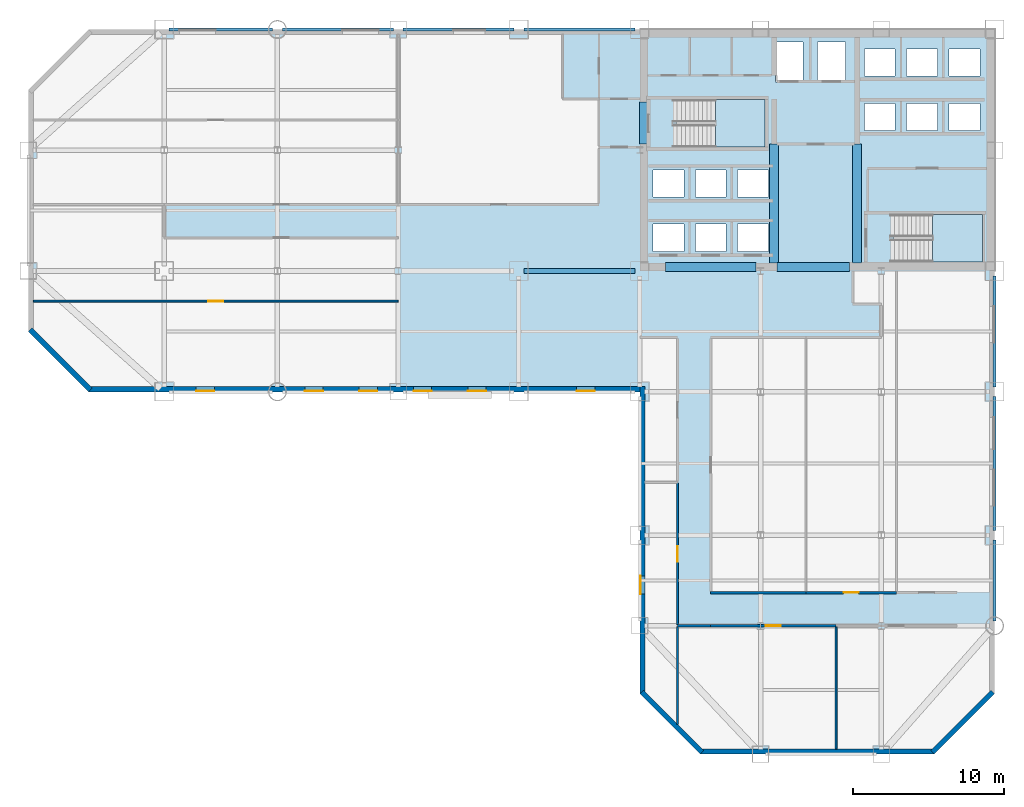
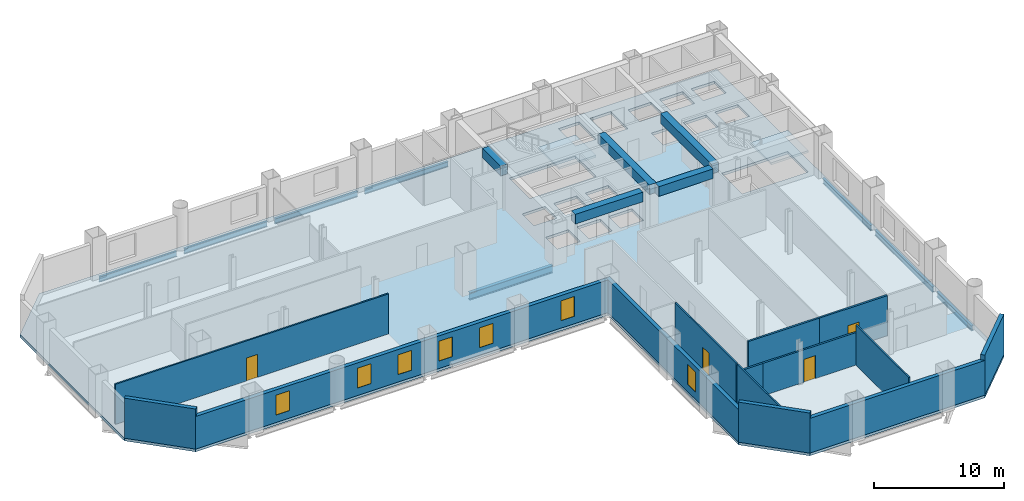
# One storey, part 4 of 9: 14 walls, 13 beams, 7 windows, 4 doors, 3 slabs, 11 openings, 2 elements without a shape of their own.
"""IFC4 building model written with IfcOpenShell, lengths in metres."""

from ifc_helpers import new_model, si_unit, direction, frame, frame_2d, origin, origin_2d, place, context, subcontext, project, spatial, polyline, rectangle, i_section, outline, extrude, material, layer, layer_set, material_profile, profile_set, type_object, element, fill, aggregate, save


model = new_model("IFC4")

# Units and contexts
model_context = context("Model", 3, precision=1e-05, world=origin(), true_north=direction((0.0, 1.0)))
body_context = subcontext(model_context, "Body", "Model", "MODEL_VIEW")
ifc_project = project(units=[si_unit("LENGTHUNIT", "METRE"), si_unit("AREAUNIT", "SQUARE_METRE"), si_unit("VOLUMEUNIT", "CUBIC_METRE"), si_unit("PLANEANGLEUNIT", "RADIAN"), si_unit("MASSUNIT", "GRAM", prefix="KILO")], contexts=[model_context])

# Site, building, storey
site_placement = place(None, origin())
site = spatial("IfcSite", under=ifc_project, at=site_placement, CompositionType="ELEMENT")
building_placement = place(site_placement, origin())
building = spatial("IfcBuilding", under=site, at=building_placement, Name="Qianrong Seaharbour Tower", CompositionType="ELEMENT")
storey_placement = place(building_placement, frame((0.0, 0.0, 72.199951171875)))
storey = spatial("IfcBuildingStorey", under=building, at=storey_placement, Name="L17", CompositionType="ELEMENT", Elevation=72.199951171875)

# Beams
ifc_material_1 = material(Name="Structural steel SN490B", Category="steel")
ifc_material_profile_1 = material_profile(ifc_material_1, i_section(OverallWidth=0.300048828125, OverallDepth=0.699951171875, WebThickness=0.012939453125, FlangeThickness=0.02392578125, FilletRadius=0.02587890625, at=origin_2d()), Name="H700x300x13x24")
ifc_profile_set_1 = profile_set([ifc_material_profile_1], Name="Structural steel SN490B")
beam_type_1 = type_object("IfcBeamType", Name="BM-G-700", PredefinedType="BEAM", material=ifc_profile_set_1)
beam_1_placement = place(storey_placement, frame((32.820068359375, 36.0, -0.599853515625), z_axis=(1.0, 0.0, 0.0), x_axis=(0.0, 1.0, 0.0)))
element("IfcBeam", 1, at=beam_1_placement, inside=storey, type_object=beam_type_1, Name="L17 Primary Girder GF G5-G6", PredefinedType="BEAM", context=body_context, shape_type="SweptSolid", body=[
    extrude(i_section(OverallWidth=0.300048828125, OverallDepth=0.699951171875, WebThickness=0.012939453125, FlangeThickness=0.02392578125, FilletRadius=0.02587890625, at=origin_2d()), origin(), (0.0, 0.0, 1.0), 7.35986328125),
])
ifc_material_2 = material(Name="Concrete C70/85", Category="concrete")
ifc_material_profile_2 = material_profile(ifc_material_2, rectangle(XDim=0.60009765625, YDim=0.89990234375, at=origin_2d()), Name="RC600x900")
ifc_profile_set_2 = profile_set([ifc_material_profile_2], Name="Concrete C70/85")
beam_type_2 = type_object("IfcBeamType", Name="BM-LINTEL-900", PredefinedType="LINTEL", material=ifc_profile_set_2)
beam_2_placement = place(storey_placement, frame((40.77001953125, 44.39990234375, 3.300048828125), z_axis=(0.0, 1.0, 0.0), x_axis=(-1.0, 0.0, 0.0)))
element("IfcBeam", 2, at=beam_2_placement, inside=storey, type_object=beam_type_2, Name="L17 Core Coupling Lintel Beam West", PredefinedType="LINTEL", context=body_context, shape_type="SweptSolid", body=[
    extrude(rectangle(XDim=0.60009765625, YDim=0.89990234375, at=origin_2d()), origin(), (0.0, 0.0, 1.0), 2.800048828125),
])
beam_3_placement = place(storey_placement, frame((42.199951171875, 36.27001953125, 3.300048828125), z_axis=(1.0, 0.0, 0.0), x_axis=(0.0, 1.0, 0.0)))
element("IfcBeam", 3, at=beam_3_placement, inside=storey, type_object=beam_type_2, Name="L17 Core Coupling Lintel Beam CBW", PredefinedType="LINTEL", context=body_context, shape_type="SweptSolid", body=[
    extrude(rectangle(XDim=0.60009765625, YDim=0.89990234375, at=origin_2d()), origin(), (0.0, 0.0, 1.0), 6.0),
])
beam_4_placement = place(storey_placement, frame((49.60009765625, 36.27001953125, 3.300048828125), z_axis=(1.0, 0.0, 0.0), x_axis=(0.0, 1.0, 0.0)))
element("IfcBeam", 4, at=beam_4_placement, inside=storey, type_object=beam_type_2, Name="L17 Core Coupling Lintel Beam CBC", PredefinedType="LINTEL", context=body_context, shape_type="SweptSolid", body=[
    extrude(rectangle(XDim=0.60009765625, YDim=0.89990234375, at=origin_2d()), origin(), (0.0, 0.0, 1.0), 4.7998046875),
])
for number, where, z_axis, x_axis, name in (
    (5, (49.39990234375, 36.5400390625, 3.300048828125), (0.0, 1.0, 0.0), (-1.0, 0.0, 0.0), "L17 Internal Core Coupling Beam IW1"),
    (6, (54.89990234375, 36.5400390625, 3.300048828125), (0.0, 1.0, 0.0), (-1.0, 0.0, 0.0), "L17 Internal Core Coupling Beam IW2"),
):
    element("IfcBeam", number, at=place(storey_placement, frame(where, z_axis=z_axis, x_axis=x_axis)), inside=storey, type_object=beam_type_2, Name=name, PredefinedType="LINTEL", context=body_context, shape_type="SweptSolid", body=[
        extrude(rectangle(XDim=0.60009765625, YDim=0.89990234375, at=origin_2d()), origin(), (0.0, 0.0, 1.0), 7.85986328125),
    ])
ifc_material_profile_3 = material_profile(ifc_material_1, i_section(OverallWidth=0.199951171875, OverallDepth=0.5, WebThickness=0.010009765625, FlangeThickness=0.01611328125, FilletRadius=0.02001953125, at=origin_2d()), Name="H500x200x10x16")
ifc_profile_set_3 = profile_set([ifc_material_profile_3], Name="Structural steel SN490B")
beam_type_3 = type_object("IfcBeamType", Name="BM-SP-500", PredefinedType="SPANDREL", material=ifc_profile_set_3)
beam_5_placement = place(storey_placement, frame((9.320068359375, 52.0, -0.5), z_axis=(1.0, 0.0, 0.0), x_axis=(0.0, 1.0, 0.0)))
element("IfcBeam", 7, at=beam_5_placement, inside=storey, type_object=beam_type_3, Name="L17 Spandrel Girder GH G2-G3", PredefinedType="SPANDREL", context=body_context, shape_type="SweptSolid", body=[
    extrude(i_section(OverallWidth=0.199951171875, OverallDepth=0.5, WebThickness=0.010009765625, FlangeThickness=0.01611328125, FilletRadius=0.02001953125, at=origin_2d()), origin(), (0.0, 0.0, 1.0), 6.85986328125),
])
for number, where, z_axis, x_axis, name in (
    (8, (16.820068359375, 52.0, -0.5), (1.0, 0.0, 0.0), (0.0, 1.0, 0.0), "L17 Spandrel Girder GH G3-G4"),
    (9, (24.820068359375, 52.0, -0.5), (1.0, 0.0, 0.0), (0.0, 1.0, 0.0), "L17 Spandrel Girder GH G4-G5"),
    (10, (32.820068359375, 52.0, -0.5), (1.0, 0.0, 0.0), (0.0, 1.0, 0.0), "L17 Spandrel Girder GH G5-G6"),
):
    element("IfcBeam", number, at=place(storey_placement, frame(where, z_axis=z_axis, x_axis=x_axis)), inside=storey, type_object=beam_type_3, Name=name, PredefinedType="SPANDREL", context=body_context, shape_type="SweptSolid", body=[
        extrude(i_section(OverallWidth=0.199951171875, OverallDepth=0.5, WebThickness=0.010009765625, FlangeThickness=0.01611328125, FilletRadius=0.02001953125, at=origin_2d()), origin(), (0.0, 0.0, 1.0), 7.35986328125),
    ])
beam_6_placement = place(storey_placement, frame((64.0, 12.820068359375, -0.5), z_axis=(0.0, 1.0, 0.0), x_axis=(-1.0, 0.0, 0.0)))
element("IfcBeam", 11, at=beam_6_placement, inside=storey, type_object=beam_type_3, Name="L17 Spandrel Girder G9 GC-GD", PredefinedType="SPANDREL", context=body_context, shape_type="SweptSolid", body=[
    extrude(i_section(OverallWidth=0.199951171875, OverallDepth=0.5, WebThickness=0.010009765625, FlangeThickness=0.01611328125, FilletRadius=0.02001953125, at=origin_2d()), origin(), (0.0, 0.0, 1.0), 5.35986328125),
])
beam_7_placement = place(storey_placement, frame((64.0, 18.820068359375, -0.5), z_axis=(0.0, 1.0, 0.0), x_axis=(-1.0, 0.0, 0.0)))
element("IfcBeam", 12, at=beam_7_placement, inside=storey, type_object=beam_type_3, Name="L17 Spandrel Girder G9 GD-GE", PredefinedType="SPANDREL", context=body_context, shape_type="SweptSolid", body=[
    extrude(i_section(OverallWidth=0.199951171875, OverallDepth=0.5, WebThickness=0.010009765625, FlangeThickness=0.01611328125, FilletRadius=0.02001953125, at=origin_2d()), origin(), (0.0, 0.0, 1.0), 8.85986328125),
])
beam_8_placement = place(storey_placement, frame((64.0, 28.320068359375, -0.5), z_axis=(0.0, 1.0, 0.0), x_axis=(-1.0, 0.0, 0.0)))
element("IfcBeam", 13, at=beam_8_placement, inside=storey, type_object=beam_type_3, Name="L17 Spandrel Girder G9 GE-GF", PredefinedType="SPANDREL", context=body_context, shape_type="SweptSolid", body=[
    extrude(i_section(OverallWidth=0.199951171875, OverallDepth=0.5, WebThickness=0.010009765625, FlangeThickness=0.01611328125, FilletRadius=0.02001953125, at=origin_2d()), origin(), (0.0, 0.0, 1.0), 7.35986328125),
])

# Stair, slab
ifc_material_3 = material(Name="Concrete C50/60", Category="concrete")
stair_type = type_object("IfcStairType", Name="STAIR-DOGLEG-1500-R22", PredefinedType="HALF_TURN_STAIR", material=ifc_material_3)
stair_1_placement = place(storey_placement, origin())
stair_1 = element("IfcStair", 14, at=stair_1_placement, inside=storey, type_object=stair_type, Name="L17 Protected Escape Stair ST-1", PredefinedType="HALF_TURN_STAIR")
ifc_layer_1 = layer(ifc_material_3, 0.199951171875)
ifc_layer_set_1 = layer_set([ifc_layer_1], Name="Concrete C50/60")
slab_type_1 = type_object("IfcSlabType", Name="SLAB-STAIR-LANDING-200", PredefinedType="LANDING", material=ifc_layer_set_1)
slab_1_placement = place(storey_placement, frame((0.0, 0.0, 1.800048828125)))
slab_1 = element("IfcSlab", 15, at=slab_1_placement, type_object=slab_type_1, Name="ST-1 landing 1", PredefinedType="LANDING", context=body_context, shape_type="SweptSolid", body=[
    extrude(outline(polyline([(45.5, 44.199951171875), (48.800048828125, 44.199951171875), (48.800048828125, 47.35009765625), (45.5, 47.35009765625), (45.5, 44.199951171875)])), origin(), (0.0, 0.0, 1.0), 0.199951171875),
])
aggregate(stair_1, [slab_1])

stair_2_placement = place(storey_placement, origin())
stair_2 = element("IfcStair", 16, at=stair_2_placement, inside=storey, type_object=stair_type, Name="L17 Protected Escape Stair ST-2", PredefinedType="HALF_TURN_STAIR")
slab_2_placement = place(storey_placement, frame((0.0, 0.0, 1.800048828125)))
slab_2 = element("IfcSlab", 17, at=slab_2_placement, type_object=slab_type_1, Name="ST-2 landing 1", PredefinedType="LANDING", context=body_context, shape_type="SweptSolid", body=[
    extrude(outline(polyline([(59.89990234375, 36.60009765625), (63.199951171875, 36.60009765625), (63.199951171875, 39.75), (59.89990234375, 39.75), (59.89990234375, 36.60009765625)])), origin(), (0.0, 0.0, 1.0), 0.199951171875),
])
aggregate(stair_2, [slab_2])

# Slab
ifc_layer_2 = layer(ifc_material_3, 0.25)
ifc_layer_set_2 = layer_set([ifc_layer_2], Name="Concrete C50/60")
slab_type_2 = type_object("IfcSlabType", Name="SLAB-Z1-250", PredefinedType="FLOOR", material=ifc_layer_set_2)
slab_3_placement = place(storey_placement, frame((0.0, 0.0, -0.25)))
element("IfcSlab", 18, at=slab_3_placement, inside=storey, type_object=slab_type_2, Name="L17 Structural Floor Slab", PredefinedType="FLOOR", context=body_context, shape_type="SweptSolid", body=[
    extrude(outline(polyline([(44.5, 4.0), (60.0, 4.0), (64.0, 8.0), (64.0, 52.0), (4.0, 52.0), (0.0, 48.0), (0.0, 32.0), (4.0, 28.0), (40.5, 28.0), (40.5, 8.0), (44.5, 4.0)]), holes=[polyline([(42.93994140625, 44.199951171875), (42.93994140625, 47.35009765625), (48.800048828125, 47.35009765625), (48.800048828125, 44.199951171875), (42.93994140625, 44.199951171875)]), polyline([(57.340087890625, 36.60009765625), (57.340087890625, 39.75), (63.199951171875, 39.75), (63.199951171875, 36.60009765625), (57.340087890625, 36.60009765625)]), polyline([(49.47998046875, 48.530029296875), (49.47998046875, 51.169921875), (51.320068359375, 51.169921875), (51.320068359375, 48.530029296875), (49.47998046875, 48.530029296875)]), polyline([(52.280029296875, 48.530029296875), (52.280029296875, 51.169921875), (54.1201171875, 51.169921875), (54.1201171875, 48.530029296875), (52.280029296875, 48.530029296875)]), polyline([(41.3798828125, 37.300048828125), (41.3798828125, 39.10009765625), (43.419921875, 39.10009765625), (43.419921875, 37.300048828125), (41.3798828125, 37.300048828125)]), polyline([(44.179931640625, 37.300048828125), (44.179931640625, 39.10009765625), (46.219970703125, 39.10009765625), (46.219970703125, 37.300048828125), (44.179931640625, 37.300048828125)]), polyline([(46.97998046875, 37.300048828125), (46.97998046875, 39.10009765625), (49.02001953125, 39.10009765625), (49.02001953125, 37.300048828125), (46.97998046875, 37.300048828125)]), polyline([(41.3798828125, 40.89990234375), (41.3798828125, 42.699951171875), (43.419921875, 42.699951171875), (43.419921875, 40.89990234375), (41.3798828125, 40.89990234375)]), polyline([(44.179931640625, 40.89990234375), (44.179931640625, 42.699951171875), (46.219970703125, 42.699951171875), (46.219970703125, 40.89990234375), (44.179931640625, 40.89990234375)]), polyline([(46.97998046875, 40.89990234375), (46.97998046875, 42.699951171875), (49.02001953125, 42.699951171875), (49.02001953125, 40.89990234375), (46.97998046875, 40.89990234375)]), polyline([(55.3798828125, 45.300048828125), (55.3798828125, 47.10009765625), (57.419921875, 47.10009765625), (57.419921875, 45.300048828125), (55.3798828125, 45.300048828125)]), polyline([(58.179931640625, 45.300048828125), (58.179931640625, 47.10009765625), (60.219970703125, 47.10009765625), (60.219970703125, 45.300048828125), (58.179931640625, 45.300048828125)]), polyline([(60.97998046875, 45.300048828125), (60.97998046875, 47.10009765625), (63.02001953125, 47.10009765625), (63.02001953125, 45.300048828125), (60.97998046875, 45.300048828125)]), polyline([(55.3798828125, 48.89990234375), (55.3798828125, 50.699951171875), (57.419921875, 50.699951171875), (57.419921875, 48.89990234375), (55.3798828125, 48.89990234375)]), polyline([(58.179931640625, 48.89990234375), (58.179931640625, 50.699951171875), (60.219970703125, 50.699951171875), (60.219970703125, 48.89990234375), (58.179931640625, 48.89990234375)]), polyline([(60.97998046875, 48.89990234375), (60.97998046875, 50.699951171875), (63.02001953125, 50.699951171875), (63.02001953125, 48.89990234375), (60.97998046875, 48.89990234375)])]), origin(), (0.0, 0.0, 1.0), 0.25),
])

# Walls
ifc_material_4 = material(Name="Fire-rated acoustic gypsum board partition")
ifc_layer_3 = layer(ifc_material_4, 0.1650390625)
ifc_layer_set_3 = layer_set([ifc_layer_3], Name="Fire-rated acoustic gypsum board partition")
wall_type_1 = type_object("IfcWallType", Name="WALL-CORR-PART-165", PredefinedType="PARTITIONING", material=ifc_layer_set_3)
wall_1_placement = place(storey_placement, frame((45.199951171875, 12.5, 0.0), z_axis=(0.0, 0.0, 1.0), x_axis=(-1.0, 0.0, 0.0)))
element("IfcWall", 19, at=wall_1_placement, inside=storey, type_object=wall_type_1, Name="L17 Interior Partition Wall 029", PredefinedType="PARTITIONING", context=body_context, shape_type="SweptSolid", body=[
    extrude(rectangle(XDim=2.199951171875, YDim=0.1650390625, at=frame_2d((1.10009765625, 0.0))), origin(), (0.0, 0.0, 1.0), 3.0419921875),
])
wall_2_placement = place(storey_placement, frame((45.199951171875, 14.699951171875, 0.0), z_axis=(0.0, 0.0, 1.0), x_axis=(1.0, 0.0, 0.0)))
element("IfcWall", 20, at=wall_2_placement, inside=storey, type_object=wall_type_1, Name="L17 Interior Partition Wall 030", PredefinedType="PARTITIONING", context=body_context, shape_type="SweptSolid", body=[
    extrude(rectangle(XDim=6.300048828125, YDim=0.1650390625, at=frame_2d((3.14990234375, 0.0))), origin(), (0.0, 0.0, 1.0), 3.75),
])

# Wall, opening, door
wall_3_placement = place(storey_placement, frame((51.5, 14.699951171875, 0.0), z_axis=(0.0, 0.0, 1.0), x_axis=(1.0, 0.0, 0.0)))
wall_3 = element("IfcWall", 21, at=wall_3_placement, inside=storey, type_object=wall_type_1, Name="L17 Interior Partition Wall 031", PredefinedType="PARTITIONING", context=body_context, shape_type="SweptSolid", body=[
    extrude(rectangle(XDim=6.0, YDim=0.1650390625, at=frame_2d((3.0, 0.0))), origin(), (0.0, 0.0, 1.0), 3.75),
])
opening_1_placement = place(wall_3_placement, frame((2.5, 0.0, 0.0)))
opening_1 = element("IfcOpeningElement", 22, at=opening_1_placement, cuts=wall_3, Name="Opening DO-01", PredefinedType="OPENING", context=body_context, shape_type="SweptSolid", body=[
    extrude(rectangle(XDim=1.0, YDim=2.14990234375, at=frame_2d((0.5, 1.074951171875))), frame((0.0, 0.092529296875, 0.0), z_axis=(0.0, -1.0, 0.0), x_axis=(1.0, 0.0, 0.0)), (0.0, 0.0, 1.0), 0.18505859375),
])
ifc_material_5 = material(Name="Acoustic timber and galvanized steel fire door assembly", Category="steel")
door_type = type_object("IfcDoorType", Name="DOOR-OFFICE-1000x2150", OperationType="NOTDEFINED", PredefinedType="DOOR", material=ifc_material_5)
door_1_placement = place(opening_1_placement, origin())
door_1 = element("IfcDoor", 23, at=door_1_placement, inside=storey, type_object=door_type, Name="L17 Catering Servery Kitchen 2 Door", OperationType="SINGLE_SWING_RIGHT", OverallHeight=2.14990234375, OverallWidth=1.0, PredefinedType="DOOR", context=body_context, shape_type="SweptSolid", body=[
    extrude(rectangle(XDim=1.0, YDim=2.14990234375, at=frame_2d((0.5, 1.074951171875))), frame((0.0, 0.02490234375, 0.0), z_axis=(0.0, -1.0, 0.0), x_axis=(1.0, 0.0, 0.0)), (0.0, 0.0, 1.0), 0.050048828125),
])
fill(opening_1, door_1)

wall_4_placement = place(storey_placement, frame((53.5, 12.5, 0.0), z_axis=(0.0, 0.0, 1.0), x_axis=(-1.0, 0.0, 0.0)))
wall_4 = element("IfcWall", 24, at=wall_4_placement, inside=storey, type_object=wall_type_1, Name="L17 Interior Partition Wall 033", PredefinedType="PARTITIONING", context=body_context, shape_type="SweptSolid", body=[
    extrude(rectangle(XDim=8.300048828125, YDim=0.1650390625, at=frame_2d((4.14990234375, 0.0))), origin(), (0.0, 0.0, 1.0), 3.0419921875),
])
opening_2_placement = place(wall_4_placement, frame((3.64990234375, 0.0, 0.0)))
opening_2 = element("IfcOpeningElement", 25, at=opening_2_placement, cuts=wall_4, Name="Opening DO-01", PredefinedType="OPENING", context=body_context, shape_type="SweptSolid", body=[
    extrude(rectangle(XDim=1.0, YDim=2.14990234375, at=frame_2d((0.5, 1.074951171875))), frame((0.0, 0.092529296875, 0.0), z_axis=(0.0, -1.0, 0.0), x_axis=(1.0, 0.0, 0.0)), (0.0, 0.0, 1.0), 0.18505859375),
])
door_2_placement = place(opening_2_placement, origin())
door_2 = element("IfcDoor", 26, at=door_2_placement, inside=storey, type_object=door_type, Name="L17 South View Lounge 1 Door", OperationType="SINGLE_SWING_RIGHT", OverallHeight=2.14990234375, OverallWidth=1.0, PredefinedType="DOOR", context=body_context, shape_type="SweptSolid", body=[
    extrude(rectangle(XDim=1.0, YDim=2.14990234375, at=frame_2d((0.5, 1.074951171875))), frame((0.0, 0.02490234375, 0.0), z_axis=(0.0, -1.0, 0.0), x_axis=(1.0, 0.0, 0.0)), (0.0, 0.0, 1.0), 0.050048828125),
])
fill(opening_2, door_2)

# Wall, opening, window
ifc_material_6 = material(Name="Unitised buff brick on Precast concrete C45/55", Category="masonry")
ifc_layer_4 = layer(ifc_material_6, 0.340087890625)
ifc_layer_set_4 = layer_set([ifc_layer_4], Name="Unitised buff brick on Precast concrete C45/55")
wall_type_2 = type_object("IfcWallType", Name="WALL-EXT-BRICK-BUFF-340", PredefinedType="SOLIDWALL", material=ifc_layer_set_4)
wall_5_placement = place(storey_placement, frame((40.669921875, 8.0, 0.0), z_axis=(0.0, 0.0, 1.0), x_axis=(0.0, 1.0, 0.0)))
wall_5 = element("IfcWall", 27, at=wall_5_placement, inside=storey, type_object=wall_type_2, Name="L17 Exterior Masonry Facade Wall REENTRANT_WEST", PredefinedType="SOLIDWALL", context=body_context, shape_type="SweptSolid", body=[
    extrude(rectangle(XDim=20.340087890625, YDim=0.340087890625, at=frame_2d((10.169921875, 0.0))), origin(), (0.0, 0.0, 1.0), 3.050048828125),
])
opening_3_placement = place(wall_5_placement, frame((6.60009765625, 0.0, 0.699951171875)))
opening_3 = element("IfcOpeningElement", 28, at=opening_3_placement, cuts=wall_5, Name="Opening WN-01", PredefinedType="OPENING", context=body_context, shape_type="SweptSolid", body=[
    extrude(rectangle(XDim=1.199951171875, YDim=1.85009765625, at=frame_2d((0.60009765625, 0.925048828125))), frame((0.0, 0.18017578125, 0.0), z_axis=(0.0, -1.0, 0.0), x_axis=(1.0, 0.0, 0.0)), (0.0, 0.0, 1.0), 0.360107421875),
])
ifc_material_7 = material(Name="Insulated low-e double glazing in thermally broken aluminium 6063-T6 frame", Category="aluminium")
window_type = type_object("IfcWindowType", Name="WIN-PUNCH-1200x1850", PartitioningType="DOUBLE_PANEL_VERTICAL", PredefinedType="WINDOW", material=ifc_material_7)
window_1_placement = place(opening_3_placement, origin())
window_1 = element("IfcWindow", 29, at=window_1_placement, inside=storey, type_object=window_type, Name="L17 Deep-Set Punched Window 00.02", OverallHeight=1.85009765625, OverallWidth=1.199951171875, PartitioningType="DOUBLE_PANEL_VERTICAL", PredefinedType="WINDOW", context=body_context, shape_type="SweptSolid", body=[
    extrude(rectangle(XDim=1.199951171875, YDim=1.85009765625, at=frame_2d((0.60009765625, 0.925048828125))), frame((0.0, 0.150146484375, 0.0), z_axis=(0.0, -1.0, 0.0), x_axis=(1.0, 0.0, 0.0)), (0.0, 0.0, 1.0), 0.06005859375),
])
fill(opening_3, window_1)

# Wall, openings, windows
wall_6_placement = place(storey_placement, frame((40.52001953125, 28.169921875, 0.0), z_axis=(0.0, 0.0, 1.0), x_axis=(-1.0, 0.0, 0.0)))
wall_6 = element("IfcWall", 30, at=wall_6_placement, inside=storey, type_object=wall_type_2, Name="L17 Exterior Masonry Facade Wall HARBOUR_RIBBON", PredefinedType="SOLIDWALL", context=body_context, shape_type="SweptSolid", body=[
    extrude(rectangle(XDim=36.52001953125, YDim=0.340087890625, at=frame_2d((18.260009765625, 0.0))), origin(), (0.0, 0.0, 1.0), 3.050048828125),
])
opening_4_placement = place(wall_6_placement, frame((3.0, 0.0, 0.699951171875)))
opening_4 = element("IfcOpeningElement", 31, at=opening_4_placement, cuts=wall_6, Name="Opening WN-01", PredefinedType="OPENING", context=body_context, shape_type="SweptSolid", body=[
    extrude(rectangle(XDim=1.199951171875, YDim=1.85009765625, at=frame_2d((0.60009765625, 0.925048828125))), frame((0.0, 0.18017578125, 0.0), z_axis=(0.0, -1.0, 0.0), x_axis=(1.0, 0.0, 0.0)), (0.0, 0.0, 1.0), 0.360107421875),
])
opening_5_placement = place(wall_6_placement, frame((10.199951171875, 0.0, 0.699951171875)))
opening_5 = element("IfcOpeningElement", 32, at=opening_5_placement, cuts=wall_6, Name="Opening WN-01", PredefinedType="OPENING", context=body_context, shape_type="SweptSolid", body=[
    extrude(rectangle(XDim=1.199951171875, YDim=1.85009765625, at=frame_2d((0.60009765625, 0.925048828125))), frame((0.0, 0.18017578125, 0.0), z_axis=(0.0, -1.0, 0.0), x_axis=(1.0, 0.0, 0.0)), (0.0, 0.0, 1.0), 0.360107421875),
])
opening_6_placement = place(wall_6_placement, frame((13.800048828125, 0.0, 0.699951171875)))
opening_6 = element("IfcOpeningElement", 33, at=opening_6_placement, cuts=wall_6, Name="Opening WN-01", PredefinedType="OPENING", context=body_context, shape_type="SweptSolid", body=[
    extrude(rectangle(XDim=1.199951171875, YDim=1.85009765625, at=frame_2d((0.60009765625, 0.925048828125))), frame((0.0, 0.18017578125, 0.0), z_axis=(0.0, -1.0, 0.0), x_axis=(1.0, 0.0, 0.0)), (0.0, 0.0, 1.0), 0.360107421875),
])
opening_7_placement = place(wall_6_placement, frame((17.39990234375, 0.0, 0.699951171875)))
opening_7 = element("IfcOpeningElement", 34, at=opening_7_placement, cuts=wall_6, Name="Opening WN-01", PredefinedType="OPENING", context=body_context, shape_type="SweptSolid", body=[
    extrude(rectangle(XDim=1.199951171875, YDim=1.85009765625, at=frame_2d((0.60009765625, 0.925048828125))), frame((0.0, 0.18017578125, 0.0), z_axis=(0.0, -1.0, 0.0), x_axis=(1.0, 0.0, 0.0)), (0.0, 0.0, 1.0), 0.360107421875),
])
opening_8_placement = place(wall_6_placement, frame((21.0, 0.0, 0.699951171875)))
opening_8 = element("IfcOpeningElement", 35, at=opening_8_placement, cuts=wall_6, Name="Opening WN-01", PredefinedType="OPENING", context=body_context, shape_type="SweptSolid", body=[
    extrude(rectangle(XDim=1.199951171875, YDim=1.85009765625, at=frame_2d((0.60009765625, 0.925048828125))), frame((0.0, 0.18017578125, 0.0), z_axis=(0.0, -1.0, 0.0), x_axis=(1.0, 0.0, 0.0)), (0.0, 0.0, 1.0), 0.360107421875),
])
opening_9_placement = place(wall_6_placement, frame((28.199951171875, 0.0, 0.699951171875)))
opening_9 = element("IfcOpeningElement", 36, at=opening_9_placement, cuts=wall_6, Name="Opening WN-01", PredefinedType="OPENING", context=body_context, shape_type="SweptSolid", body=[
    extrude(rectangle(XDim=1.199951171875, YDim=1.85009765625, at=frame_2d((0.60009765625, 0.925048828125))), frame((0.0, 0.18017578125, 0.0), z_axis=(0.0, -1.0, 0.0), x_axis=(1.0, 0.0, 0.0)), (0.0, 0.0, 1.0), 0.360107421875),
])
window_2_placement = place(opening_4_placement, origin())
window_2 = element("IfcWindow", 37, at=window_2_placement, inside=storey, type_object=window_type, Name="L17 Deep-Set Punched Window 01.01", OverallHeight=1.85009765625, OverallWidth=1.199951171875, PartitioningType="DOUBLE_PANEL_VERTICAL", PredefinedType="WINDOW", context=body_context, shape_type="SweptSolid", body=[
    extrude(rectangle(XDim=1.199951171875, YDim=1.85009765625, at=frame_2d((0.60009765625, 0.925048828125))), frame((0.0, 0.150146484375, 0.0), z_axis=(0.0, -1.0, 0.0), x_axis=(1.0, 0.0, 0.0)), (0.0, 0.0, 1.0), 0.06005859375),
])
fill(opening_4, window_2)
window_3_placement = place(opening_5_placement, origin())
window_3 = element("IfcWindow", 38, at=window_3_placement, inside=storey, type_object=window_type, Name="L17 Deep-Set Punched Window 01.03", OverallHeight=1.85009765625, OverallWidth=1.199951171875, PartitioningType="DOUBLE_PANEL_VERTICAL", PredefinedType="WINDOW", context=body_context, shape_type="SweptSolid", body=[
    extrude(rectangle(XDim=1.199951171875, YDim=1.85009765625, at=frame_2d((0.60009765625, 0.925048828125))), frame((0.0, 0.150146484375, 0.0), z_axis=(0.0, -1.0, 0.0), x_axis=(1.0, 0.0, 0.0)), (0.0, 0.0, 1.0), 0.06005859375),
])
fill(opening_5, window_3)
window_4_placement = place(opening_6_placement, origin())
window_4 = element("IfcWindow", 39, at=window_4_placement, inside=storey, type_object=window_type, Name="L17 Deep-Set Punched Window 01.04", OverallHeight=1.85009765625, OverallWidth=1.199951171875, PartitioningType="DOUBLE_PANEL_VERTICAL", PredefinedType="WINDOW", context=body_context, shape_type="SweptSolid", body=[
    extrude(rectangle(XDim=1.199951171875, YDim=1.85009765625, at=frame_2d((0.60009765625, 0.925048828125))), frame((0.0, 0.150146484375, 0.0), z_axis=(0.0, -1.0, 0.0), x_axis=(1.0, 0.0, 0.0)), (0.0, 0.0, 1.0), 0.06005859375),
])
fill(opening_6, window_4)
window_5_placement = place(opening_7_placement, origin())
window_5 = element("IfcWindow", 40, at=window_5_placement, inside=storey, type_object=window_type, Name="L17 Deep-Set Punched Window 01.05", OverallHeight=1.85009765625, OverallWidth=1.199951171875, PartitioningType="DOUBLE_PANEL_VERTICAL", PredefinedType="WINDOW", context=body_context, shape_type="SweptSolid", body=[
    extrude(rectangle(XDim=1.199951171875, YDim=1.85009765625, at=frame_2d((0.60009765625, 0.925048828125))), frame((0.0, 0.150146484375, 0.0), z_axis=(0.0, -1.0, 0.0), x_axis=(1.0, 0.0, 0.0)), (0.0, 0.0, 1.0), 0.06005859375),
])
fill(opening_7, window_5)
window_6_placement = place(opening_8_placement, origin())
window_6 = element("IfcWindow", 41, at=window_6_placement, inside=storey, type_object=window_type, Name="L17 Deep-Set Punched Window 01.06", OverallHeight=1.85009765625, OverallWidth=1.199951171875, PartitioningType="DOUBLE_PANEL_VERTICAL", PredefinedType="WINDOW", context=body_context, shape_type="SweptSolid", body=[
    extrude(rectangle(XDim=1.199951171875, YDim=1.85009765625, at=frame_2d((0.60009765625, 0.925048828125))), frame((0.0, 0.150146484375, 0.0), z_axis=(0.0, -1.0, 0.0), x_axis=(1.0, 0.0, 0.0)), (0.0, 0.0, 1.0), 0.06005859375),
])
fill(opening_8, window_6)
window_7_placement = place(opening_9_placement, origin())
window_7 = element("IfcWindow", 42, at=window_7_placement, inside=storey, type_object=window_type, Name="L17 Deep-Set Punched Window 01.08", OverallHeight=1.85009765625, OverallWidth=1.199951171875, PartitioningType="DOUBLE_PANEL_VERTICAL", PredefinedType="WINDOW", context=body_context, shape_type="SweptSolid", body=[
    extrude(rectangle(XDim=1.199951171875, YDim=1.85009765625, at=frame_2d((0.60009765625, 0.925048828125))), frame((0.0, 0.150146484375, 0.0), z_axis=(0.0, -1.0, 0.0), x_axis=(1.0, 0.0, 0.0)), (0.0, 0.0, 1.0), 0.06005859375),
])
fill(opening_9, window_7)

# Walls
for number, where, z_axis, x_axis, name in (
    (43, (4.1201171875, 28.1201171875, 0.0), (0.0, 0.0, 1.0), (-0.707106781187, 0.707106781187, 0.0), "L17 Exterior Masonry Facade Wall E02"),
    (44, (63.8798828125, 8.1201171875, 0.0), (0.0, 0.0, 1.0), (-0.707106781187, -0.707106781187, 0.0), "L17 Exterior Masonry Facade Wall E07"),
):
    element("IfcWall", number, at=place(storey_placement, frame(where, z_axis=z_axis, x_axis=x_axis)), inside=storey, type_object=wall_type_2, Name=name, PredefinedType="SOLIDWALL", context=body_context, shape_type="SweptSolid", body=[
        extrude(rectangle(XDim=5.65673828125, YDim=0.340087890625, at=frame_2d((2.828369140625, 0.0))), origin(), (0.0, 0.0, 1.0), 3.75),
    ])
wall_7_placement = place(storey_placement, frame((60.0, 4.169921875, 0.0), z_axis=(0.0, 0.0, 1.0), x_axis=(-1.0, 0.0, 0.0)))
element("IfcWall", 45, at=wall_7_placement, inside=storey, type_object=wall_type_2, Name="L17 Exterior Masonry Facade Wall SOUTH_TIP", PredefinedType="SOLIDWALL", context=body_context, shape_type="SweptSolid", body=[
    extrude(rectangle(XDim=15.5, YDim=0.340087890625, at=frame_2d((7.75, 0.0))), origin(), (0.0, 0.0, 1.0), 3.25),
])
wall_8_placement = place(storey_placement, frame((44.6201171875, 4.1201171875, 0.0), z_axis=(0.0, 0.0, 1.0), x_axis=(-0.707106781187, 0.707106781187, 0.0)))
element("IfcWall", 46, at=wall_8_placement, inside=storey, type_object=wall_type_2, Name="L17 Exterior Masonry Facade Wall E09", PredefinedType="SOLIDWALL", context=body_context, shape_type="SweptSolid", body=[
    extrude(rectangle(XDim=5.65673828125, YDim=0.340087890625, at=frame_2d((2.828369140625, 0.0))), origin(), (0.0, 0.0, 1.0), 3.75),
])

# Wall, opening, door
ifc_material_8 = material(Name="Water-resistant cement board sanitary partition")
ifc_layer_5 = layer(ifc_material_8, 0.1298828125)
ifc_layer_set_5 = layer_set([ifc_layer_5], Name="Water-resistant cement board sanitary partition")
wall_type_3 = type_object("IfcWallType", Name="WALL-WET-PART-130", PredefinedType="PARTITIONING", material=ifc_layer_set_5)
wall_9_placement = place(storey_placement, frame((43.0, 12.574462890625, 0.0), z_axis=(0.0, 0.0, 1.0), x_axis=(0.0, 1.0, 0.0)))
wall_9 = element("IfcWall", 47, at=wall_9_placement, inside=storey, type_object=wall_type_3, Name="L17 Interior Partition Wall 027", PredefinedType="PARTITIONING", context=body_context, shape_type="SweptSolid", body=[
    extrude(rectangle(XDim=9.36865234375, YDim=0.1298828125, at=frame_2d((4.684326171875, 0.0))), origin(), (0.0, 0.0, 1.0), 3.75),
])
opening_10_placement = place(wall_9_placement, frame((4.18408203125, 0.0, 0.0)))
opening_10 = element("IfcOpeningElement", 48, at=opening_10_placement, cuts=wall_9, Name="Opening DO-01", PredefinedType="OPENING", context=body_context, shape_type="SweptSolid", body=[
    extrude(rectangle(XDim=1.0, YDim=2.14990234375, at=frame_2d((0.5, 1.074951171875))), frame((0.0, 0.074951171875, 0.0), z_axis=(0.0, -1.0, 0.0), x_axis=(1.0, 0.0, 0.0)), (0.0, 0.0, 1.0), 0.14990234375),
])
door_3_placement = place(opening_10_placement, origin())
door_3 = element("IfcDoor", 49, at=door_3_placement, inside=storey, type_object=door_type, Name="L17 Wet Pantry 1 Door", OperationType="SINGLE_SWING_RIGHT", OverallHeight=2.14990234375, OverallWidth=1.0, PredefinedType="DOOR", context=body_context, shape_type="SweptSolid", body=[
    extrude(rectangle(XDim=1.0, YDim=2.14990234375, at=frame_2d((0.5, 1.074951171875))), frame((0.0, 0.02490234375, 0.0), z_axis=(0.0, -1.0, 0.0), x_axis=(1.0, 0.0, 0.0)), (0.0, 0.0, 1.0), 0.050048828125),
])
fill(opening_10, door_3)

wall_10_placement = place(storey_placement, frame((0.33203125, 34.0, 0.0), z_axis=(0.0, 0.0, 1.0), x_axis=(1.0, 0.0, 0.0)))
wall_10 = element("IfcWall", 50, at=wall_10_placement, inside=storey, type_object=wall_type_3, Name="L17 Interior Partition Wall 037", PredefinedType="PARTITIONING", context=body_context, shape_type="SweptSolid", body=[
    extrude(rectangle(XDim=24.16796875, YDim=0.1298828125, at=frame_2d((12.083984375, 0.0))), origin(), (0.0, 0.0, 1.0), 3.75),
])
opening_11_placement = place(wall_10_placement, frame((11.583984375, 0.0, 0.0)))
opening_11 = element("IfcOpeningElement", 51, at=opening_11_placement, cuts=wall_10, Name="Opening DO-01", PredefinedType="OPENING", context=body_context, shape_type="SweptSolid", body=[
    extrude(rectangle(XDim=1.0, YDim=2.14990234375, at=frame_2d((0.5, 1.074951171875))), frame((0.0, 0.074951171875, 0.0), z_axis=(0.0, -1.0, 0.0), x_axis=(1.0, 0.0, 0.0)), (0.0, 0.0, 1.0), 0.14990234375),
])
door_4_placement = place(opening_11_placement, origin())
door_4 = element("IfcDoor", 52, at=door_4_placement, inside=storey, type_object=door_type, Name="L17 Harbour Sunset Lounge 1 Door", OperationType="SINGLE_SWING_LEFT", OverallHeight=2.14990234375, OverallWidth=1.0, PredefinedType="DOOR", context=body_context, shape_type="SweptSolid", body=[
    extrude(rectangle(XDim=1.0, YDim=2.14990234375, at=frame_2d((0.5, 1.074951171875))), frame((0.0, 0.02490234375, 0.0), z_axis=(0.0, -1.0, 0.0), x_axis=(1.0, 0.0, 0.0)), (0.0, 0.0, 1.0), 0.050048828125),
])
fill(opening_11, door_4)

# Walls
wall_11_placement = place(storey_placement, frame((43.0, 12.425537109375, 0.0), z_axis=(0.0, 0.0, 1.0), x_axis=(0.0, -1.0, 0.0)))
element("IfcWall", 53, at=wall_11_placement, inside=storey, type_object=wall_type_3, Name="L17 Interior Partition Wall 043", PredefinedType="PARTITIONING", context=body_context, shape_type="SweptSolid", body=[
    extrude(rectangle(XDim=6.4560546875, YDim=0.1298828125, at=frame_2d((3.22802734375, 0.0))), origin(), (0.0, 0.0, 1.0), 3.75),
])
wall_12_placement = place(storey_placement, frame((53.5, 12.425537109375, 0.0), z_axis=(0.0, 0.0, 1.0), x_axis=(0.0, -1.0, 0.0)))
element("IfcWall", 54, at=wall_12_placement, inside=storey, type_object=wall_type_3, Name="L17 Interior Partition Wall 044", PredefinedType="PARTITIONING", context=body_context, shape_type="SweptSolid", body=[
    extrude(rectangle(XDim=8.093505859375, YDim=0.1298828125, at=frame_2d((4.046875, 0.0))), origin(), (0.0, 0.0, 1.0), 3.75),
])

save(model, "model.ifc")
